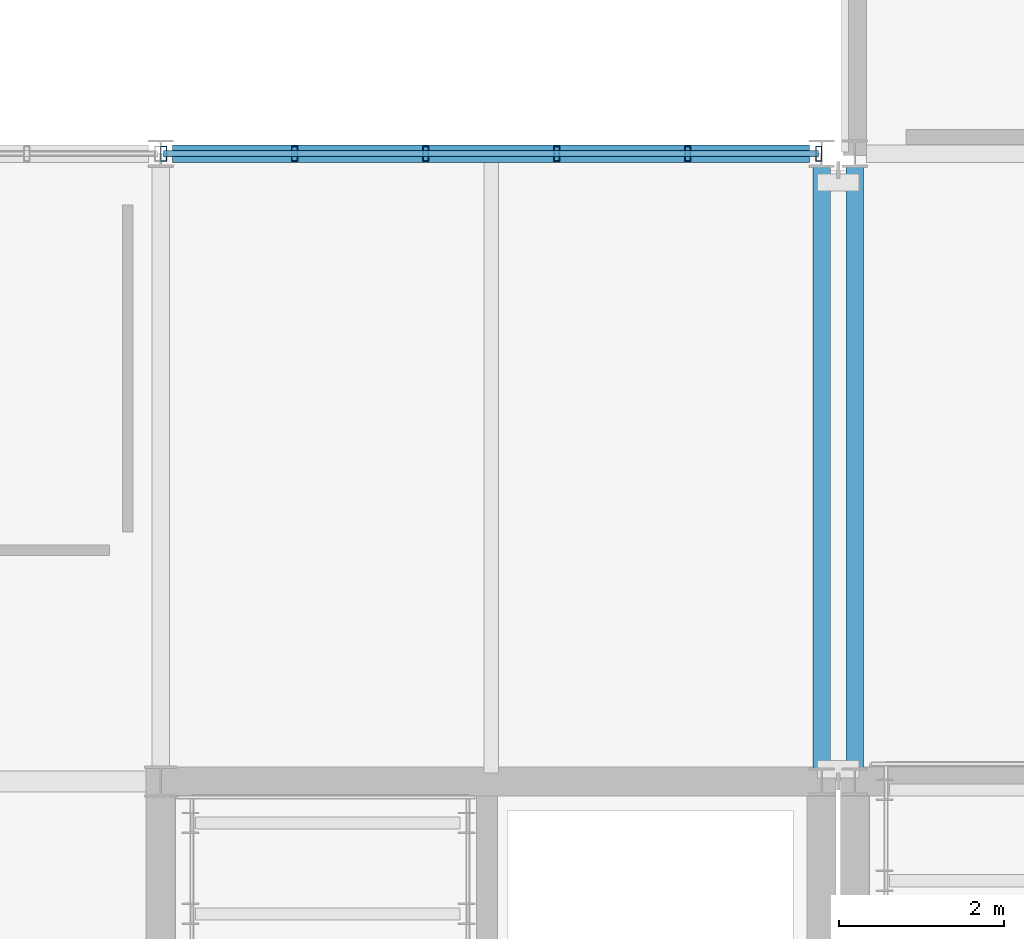
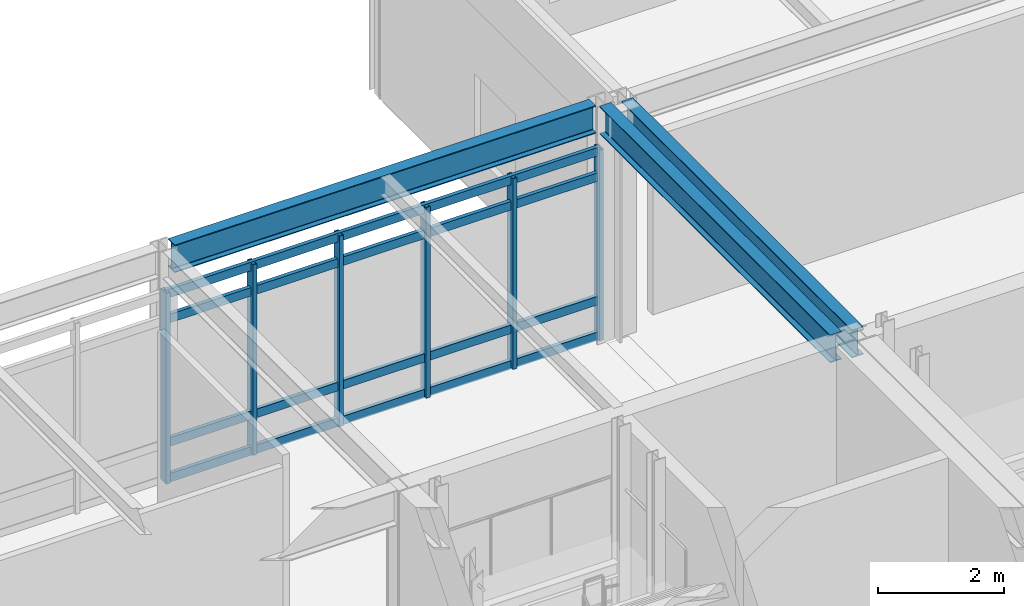
# One storey, part 55 of 104: 10 members, 3 beams, 1 element without a shape of its own.
"""IFC4 building model written with IfcOpenShell, lengths in metres."""

from ifc_helpers import new_model, si_unit, direction, frame, origin, origin_2d, place, context, subcontext, project, spatial, hollow_rectangle, i_section, extrude, material, material_profile, profile_set, type_object, element, aggregate, save


model = new_model("IFC4")

# Units and contexts
model_context = context("Model", 3, precision=1e-05, world=origin(), true_north=direction((0.0, 1.0)))
body_context = subcontext(model_context, "Body", "Model", "MODEL_VIEW")
ifc_project = project(units=[si_unit("LENGTHUNIT", "METRE"), si_unit("AREAUNIT", "SQUARE_METRE"), si_unit("VOLUMEUNIT", "CUBIC_METRE"), si_unit("PLANEANGLEUNIT", "RADIAN"), si_unit("MASSUNIT", "GRAM", prefix="KILO")], contexts=[model_context])

# Site, building, storey
site_placement = place(None, origin())
site = spatial("IfcSite", under=ifc_project, at=site_placement, CompositionType="ELEMENT")
building_placement = place(site_placement, origin())
building = spatial("IfcBuilding", under=site, at=building_placement, Name="Zulena Civic Courthouse", CompositionType="ELEMENT")
storey_placement = place(building_placement, frame((0.0, 0.0, 15.60009765625)))
storey = spatial("IfcBuildingStorey", under=building, at=storey_placement, Name="L03", CompositionType="ELEMENT", Elevation=15.60009765625)

# Curtain wall, members
ifc_material_1 = material(Name="Double-silver low-E laminated solar-control glass", Category="glass")
curtain_wall_type = type_object("IfcCurtainWallType", Name="CW_7928x3690", PredefinedType="USERDEFINED", material=ifc_material_1)
curtain_wall_placement = place(storey_placement, origin())
curtain_wall = element("IfcCurtainWall", 1, at=curtain_wall_placement, inside=storey, type_object=curtain_wall_type, Name="cw:V4:L03:1:6", ObjectType="UNITISED CURTAIN WALL", PredefinedType="USERDEFINED")
ifc_material_2 = material(Name="Bronze anodised thermally broken aluminium AA6063-T6", Category="aluminium")
ifc_material_profile_1 = material_profile(ifc_material_2, hollow_rectangle(XDim=0.074951171875, YDim=0.179931640625, WallThickness=0.0048828125, at=origin_2d()), Name="CWM180X75X5")
ifc_profile_set_1 = profile_set([ifc_material_profile_1], Name="Bronze anodised thermally broken aluminium AA6063-T6")
member_type_1 = type_object("IfcMemberType", Name="CWMullion_180x75", PredefinedType="MULLION", material=ifc_profile_set_1)
member_1_placement = place(storey_placement, frame((116.035888671875, 45.60009765625, 0.0), z_axis=(0.0, 0.0, 1.0), x_axis=(1.0, 0.0, 0.0)))
member_1 = element("IfcMember", 2, at=member_1_placement, type_object=member_type_1, Name="cw:V4:L03:1:6:mull:0", PredefinedType="MULLION", context=body_context, shape_type="SweptSolid", body=[
    extrude(hollow_rectangle(XDim=0.074951171875, YDim=0.179931640625, WallThickness=0.0048828125, at=origin_2d()), origin(), (0.0, 0.0, 1.0), 3.68994140625),
])
member_2_placement = place(storey_placement, frame((117.62158203125, 45.60009765625, 0.0), z_axis=(0.0, 0.0, 1.0), x_axis=(1.0, 0.0, 0.0)))
member_2 = element("IfcMember", 3, at=member_2_placement, type_object=member_type_1, Name="cw:V4:L03:1:6:mull:1", PredefinedType="MULLION", context=body_context, shape_type="SweptSolid", body=[
    extrude(hollow_rectangle(XDim=0.074951171875, YDim=0.179931640625, WallThickness=0.0048828125, at=origin_2d()), origin(), (0.0, 0.0, 1.0), 3.68994140625),
])
member_3_placement = place(storey_placement, frame((119.207275390625, 45.60009765625, 0.0), z_axis=(0.0, 0.0, 1.0), x_axis=(1.0, 0.0, 0.0)))
member_3 = element("IfcMember", 4, at=member_3_placement, type_object=member_type_1, Name="cw:V4:L03:1:6:mull:2", PredefinedType="MULLION", context=body_context, shape_type="SweptSolid", body=[
    extrude(hollow_rectangle(XDim=0.074951171875, YDim=0.179931640625, WallThickness=0.0048828125, at=origin_2d()), origin(), (0.0, 0.0, 1.0), 3.68994140625),
])
member_4_placement = place(storey_placement, frame((120.792724609375, 45.60009765625, 0.0), z_axis=(0.0, 0.0, 1.0), x_axis=(1.0, 0.0, 0.0)))
member_4 = element("IfcMember", 5, at=member_4_placement, type_object=member_type_1, Name="cw:V4:L03:1:6:mull:3", PredefinedType="MULLION", context=body_context, shape_type="SweptSolid", body=[
    extrude(hollow_rectangle(XDim=0.074951171875, YDim=0.179931640625, WallThickness=0.0048828125, at=origin_2d()), origin(), (0.0, 0.0, 1.0), 3.68994140625),
])
member_5_placement = place(storey_placement, frame((122.37841796875, 45.60009765625, 0.0), z_axis=(0.0, 0.0, 1.0), x_axis=(1.0, 0.0, 0.0)))
member_5 = element("IfcMember", 6, at=member_5_placement, type_object=member_type_1, Name="cw:V4:L03:1:6:mull:4", PredefinedType="MULLION", context=body_context, shape_type="SweptSolid", body=[
    extrude(hollow_rectangle(XDim=0.074951171875, YDim=0.179931640625, WallThickness=0.0048828125, at=origin_2d()), origin(), (0.0, 0.0, 1.0), 3.68994140625),
])
member_6_placement = place(storey_placement, frame((123.964111328125, 45.60009765625, 0.0), z_axis=(0.0, 0.0, 1.0), x_axis=(1.0, 0.0, 0.0)))
member_6 = element("IfcMember", 7, at=member_6_placement, type_object=member_type_1, Name="cw:V4:L03:1:6:mull:5", PredefinedType="MULLION", context=body_context, shape_type="SweptSolid", body=[
    extrude(hollow_rectangle(XDim=0.074951171875, YDim=0.179931640625, WallThickness=0.0048828125, at=origin_2d()), origin(), (0.0, 0.0, 1.0), 3.68994140625),
])
ifc_material_profile_2 = material_profile(ifc_material_2, hollow_rectangle(XDim=0.070068359375, YDim=0.1650390625, WallThickness=0.00390625, at=origin_2d()), Name="CWT165X70X4")
ifc_profile_set_2 = profile_set([ifc_material_profile_2], Name="Bronze anodised thermally broken aluminium AA6063-T6")
member_type_2 = type_object("IfcMemberType", Name="CWTransom_165x70", PredefinedType="USERDEFINED", material=ifc_profile_set_2)
member_7_placement = place(storey_placement, frame((116.035888671875, 45.60009765625, 0.059814453125), z_axis=(1.0, 0.0, 0.0), x_axis=(0.0, 1.0, 0.0)))
member_7 = element("IfcMember", 8, at=member_7_placement, type_object=member_type_2, Name="cw:V4:L03:1:6:tran:0", ObjectType="TRANSOM", PredefinedType="USERDEFINED", context=body_context, shape_type="SweptSolid", body=[
    extrude(hollow_rectangle(XDim=0.070068359375, YDim=0.1650390625, WallThickness=0.00390625, at=origin_2d()), origin(), (0.0, 0.0, 1.0), 7.92822265625),
])
member_8_placement = place(storey_placement, frame((116.035888671875, 45.60009765625, 0.75), z_axis=(1.0, 0.0, 0.0), x_axis=(0.0, 1.0, 0.0)))
member_8 = element("IfcMember", 9, at=member_8_placement, type_object=member_type_2, Name="cw:V4:L03:1:6:tran:1", ObjectType="TRANSOM", PredefinedType="USERDEFINED", context=body_context, shape_type="SweptSolid", body=[
    extrude(hollow_rectangle(XDim=0.070068359375, YDim=0.1650390625, WallThickness=0.00390625, at=origin_2d()), origin(), (0.0, 0.0, 1.0), 7.92822265625),
])
member_9_placement = place(storey_placement, frame((116.035888671875, 45.60009765625, 3.139892578125), z_axis=(1.0, 0.0, 0.0), x_axis=(0.0, 1.0, 0.0)))
member_9 = element("IfcMember", 10, at=member_9_placement, type_object=member_type_2, Name="cw:V4:L03:1:6:tran:2", ObjectType="TRANSOM", PredefinedType="USERDEFINED", context=body_context, shape_type="SweptSolid", body=[
    extrude(hollow_rectangle(XDim=0.070068359375, YDim=0.1650390625, WallThickness=0.00390625, at=origin_2d()), origin(), (0.0, 0.0, 1.0), 7.92822265625),
])
member_10_placement = place(storey_placement, frame((116.035888671875, 45.60009765625, 3.6298828125), z_axis=(1.0, 0.0, 0.0), x_axis=(0.0, 1.0, 0.0)))
member_10 = element("IfcMember", 11, at=member_10_placement, type_object=member_type_2, Name="cw:V4:L03:1:6:tran:3", ObjectType="TRANSOM", PredefinedType="USERDEFINED", context=body_context, shape_type="SweptSolid", body=[
    extrude(hollow_rectangle(XDim=0.070068359375, YDim=0.1650390625, WallThickness=0.00390625, at=origin_2d()), origin(), (0.0, 0.0, 1.0), 7.92822265625),
])
aggregate(curtain_wall, [member_1, member_2, member_3, member_4, member_5, member_6, member_7, member_8, member_9, member_10])

# Beams
ifc_material_3 = material(Name="Steel ASTM A992 Grade 50", Category="steel")
ifc_material_profile_3 = material_profile(ifc_material_3, i_section(OverallWidth=0.2099609375, OverallDepth=0.537109375, WebThickness=0.010986328125, FlangeThickness=0.017333984375, FilletRadius=0.0126953125, at=origin_2d()), Name="W21X68")
ifc_profile_set_3 = profile_set([ifc_material_profile_3], Name="Steel ASTM A992 Grade 50")
beam_type = type_object("IfcBeamType", Name="Spandrel_W21X68", PredefinedType="SPANDREL", material=ifc_profile_set_3)
beam_1_placement = place(storey_placement, frame((124.39990234375, 38.14501953125, 4.2763671875), z_axis=(0.0, 1.0, 0.0), x_axis=(-1.0, 0.0, 0.0)))
element("IfcBeam", 12, at=beam_1_placement, inside=storey, type_object=beam_type, Name="beam:Y:V3:L03:124.4:38.0_45.6", PredefinedType="SPANDREL", context=body_context, shape_type="SweptSolid", body=[
    extrude(i_section(OverallWidth=0.2099609375, OverallDepth=0.537109375, WebThickness=0.010986328125, FlangeThickness=0.017333984375, FilletRadius=0.0126953125, at=origin_2d()), origin(), (0.0, 0.0, 1.0), 7.31005859375),
])
beam_2_placement = place(storey_placement, frame((116.14501953125, 45.60009765625, 4.3212890625), z_axis=(1.0, 0.0, 0.0), x_axis=(0.0, 1.0, 0.0)))
element("IfcBeam", 13, at=beam_2_placement, inside=storey, type_object=beam_type, Name="beam:X:V4:L03:45.6:116.0_124.0", PredefinedType="SPANDREL", context=body_context, shape_type="SweptSolid", body=[
    extrude(i_section(OverallWidth=0.2099609375, OverallDepth=0.537109375, WebThickness=0.010986328125, FlangeThickness=0.017333984375, FilletRadius=0.0126953125, at=origin_2d()), origin(), (0.0, 0.0, 1.0), 7.7099609375),
])
beam_3_placement = place(storey_placement, frame((124.0, 38.14501953125, 4.3212890625), z_axis=(0.0, 1.0, 0.0), x_axis=(-1.0, 0.0, 0.0)))
element("IfcBeam", 14, at=beam_3_placement, inside=storey, type_object=beam_type, Name="beam:Y:V4:L03:124.0:38.0_45.6", PredefinedType="SPANDREL", context=body_context, shape_type="SweptSolid", body=[
    extrude(i_section(OverallWidth=0.2099609375, OverallDepth=0.537109375, WebThickness=0.010986328125, FlangeThickness=0.017333984375, FilletRadius=0.0126953125, at=origin_2d()), origin(), (0.0, 0.0, 1.0), 7.31005859375),
])

save(model, "model.ifc")
